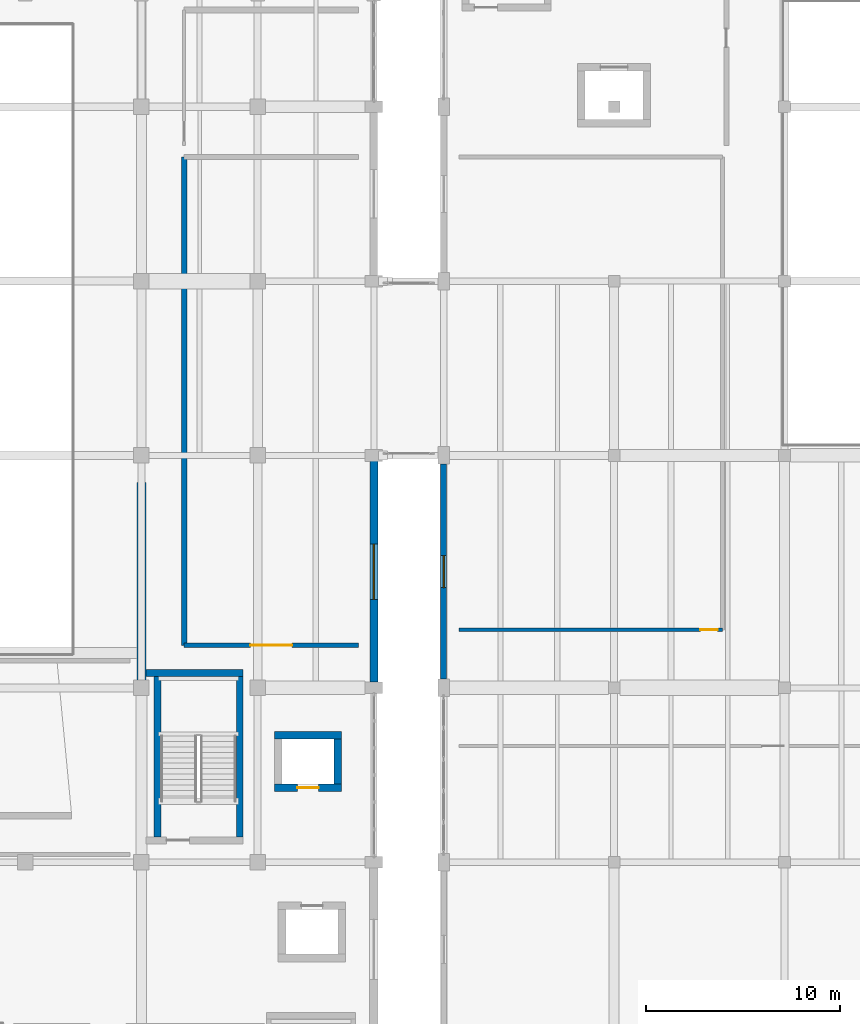
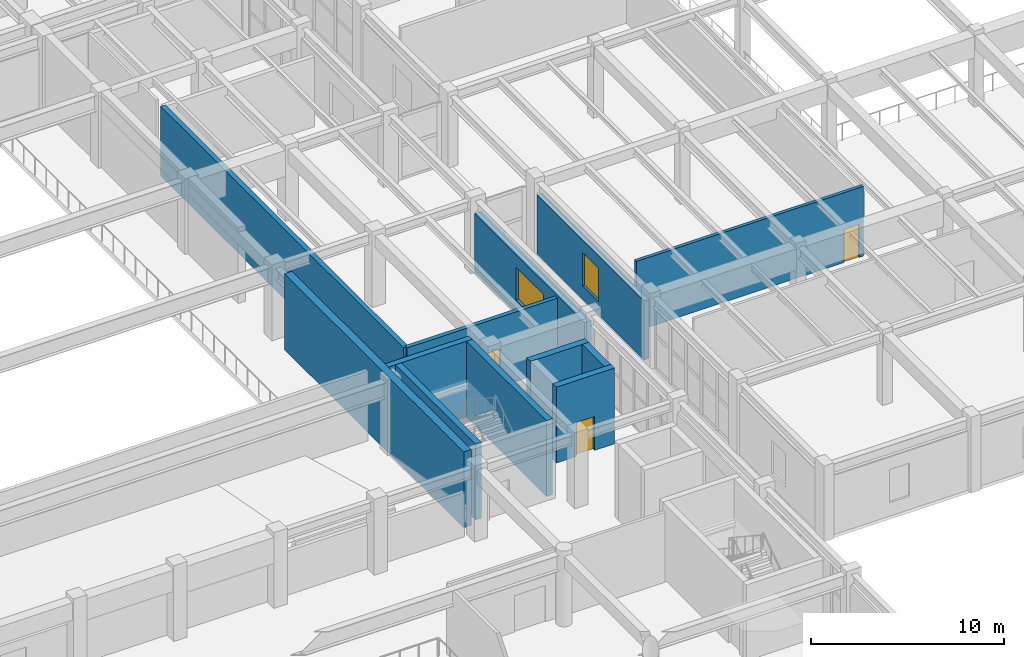
# One storey, part 70 of 96: 12 walls, 3 doors, 2 windows, 5 openings.
"""IFC4 building model written with IfcOpenShell, lengths in metres."""

from ifc_helpers import new_model, si_unit, direction, frame, frame_2d, origin, place, context, subcontext, project, spatial, rectangle, extrude, material, layer, layer_set, type_object, element, fill, save


model = new_model("IFC4")

# Units and contexts
model_context = context("Model", 3, precision=1e-05, world=origin(), true_north=direction((0.0, 1.0)))
body_context = subcontext(model_context, "Body", "Model", "MODEL_VIEW")
ifc_project = project(units=[si_unit("LENGTHUNIT", "METRE"), si_unit("AREAUNIT", "SQUARE_METRE"), si_unit("VOLUMEUNIT", "CUBIC_METRE"), si_unit("PLANEANGLEUNIT", "RADIAN"), si_unit("MASSUNIT", "GRAM", prefix="KILO")], contexts=[model_context])

# Site, building, storey
site_placement = place(None, origin())
site = spatial("IfcSite", under=ifc_project, at=site_placement, CompositionType="ELEMENT")
building_placement = place(site_placement, origin())
building = spatial("IfcBuilding", under=site, at=building_placement, Name="Vaelkrest Opera House", CompositionType="ELEMENT")
storey_placement = place(building_placement, frame((0.0, 0.0, 5.39990234375)))
storey = spatial("IfcBuildingStorey", under=building, at=storey_placement, Name="L01", CompositionType="ELEMENT", Elevation=5.39990234375)

# Wall, opening, window
ifc_material_1 = material(Name="American black walnut acoustic timber", Category="wood")
ifc_layer_1 = layer(ifc_material_1, 0.31494140625)
ifc_layer_set_1 = layer_set([ifc_layer_1], Name="American black walnut acoustic timber")
wall_type_1 = type_object("IfcWallType", Name="EW04", PredefinedType="STANDARD", material=ifc_layer_set_1)
wall_1_placement = place(storey_placement, frame((33.60009765625, -19.35205078125, 0.0), z_axis=(0.0, 0.0, 1.0), x_axis=(0.0, 1.0, 0.0)))
wall_1 = element("IfcWall", 1, at=wall_1_placement, inside=storey, type_object=wall_type_1, Name="Exterior facade wall EW-V4-L01-0234", PredefinedType="STANDARD", context=body_context, shape_type="SweptSolid", body=[
    extrude(rectangle(XDim=11.10400390625, YDim=0.31494140625, at=frame_2d((5.552001953125, 0.0))), origin(), (0.0, 0.0, 1.0), 3.739990234375),
])
opening_1_placement = place(wall_1_placement, frame((4.72705078125, 0.0, 0.85009765625)))
opening_1 = element("IfcOpeningElement", 2, at=opening_1_placement, cuts=wall_1, Name="Opening WN119", PredefinedType="OPENING", context=body_context, shape_type="SweptSolid", body=[
    extrude(rectangle(XDim=1.64990234375, YDim=2.10009765625, at=frame_2d((0.824951171875, 1.050048828125))), frame((0.0, 0.16748046875, 0.0), z_axis=(0.0, -1.0, 0.0), x_axis=(1.0, 0.0, 0.0)), (0.0, 0.0, 1.0), 0.3349609375),
])
ifc_material_2 = material(Name="Double low-E insulated glazing", Category="glass")
window_type_1 = type_object("IfcWindowType", Name="WT15", PartitioningType="SINGLE_PANEL", PredefinedType="WINDOW", material=ifc_material_2)
window_1_placement = place(opening_1_placement, origin())
window_1 = element("IfcWindow", 3, at=window_1_placement, inside=storey, type_object=window_type_1, Name="Facade window WN119", OverallHeight=2.10009765625, OverallWidth=1.64990234375, PartitioningType="SINGLE_PANEL", PredefinedType="WINDOW", context=body_context, shape_type="SweptSolid", body=[
    extrude(rectangle(XDim=1.64990234375, YDim=2.10009765625, at=frame_2d((0.824951171875, 1.050048828125))), frame((0.0, 0.030029296875, 0.0), z_axis=(0.0, -1.0, 0.0), x_axis=(1.0, 0.0, 0.0)), (0.0, 0.0, 1.0), 0.06005859375),
])
fill(opening_1, window_1)

ifc_material_3 = material(Name="Concrete C40/50", Category="concrete")
ifc_layer_2 = layer(ifc_material_3, 0.409912109375)
ifc_layer_set_2 = layer_set([ifc_layer_2], Name="Concrete C40/50")
wall_type_2 = type_object("IfcWallType", Name="EW08", PredefinedType="STANDARD", material=ifc_layer_set_2)
wall_2_placement = place(storey_placement, frame((30.0, -8.097900390625, 0.0), z_axis=(0.0, 0.0, 1.0), x_axis=(0.0, -1.0, 0.0)))
wall_2 = element("IfcWall", 4, at=wall_2_placement, inside=storey, type_object=wall_type_2, Name="Exterior facade wall EW-V1-L01-0048", PredefinedType="STANDARD", context=body_context, shape_type="SweptSolid", body=[
    extrude(rectangle(XDim=11.404052734375, YDim=0.409912109375, at=frame_2d((5.7021484375, 0.0))), origin(), (0.0, 0.0, 1.0), 3.739990234375),
])
opening_2_placement = place(wall_2_placement, frame((4.277099609375, 0.0, 0.85009765625)))
opening_2 = element("IfcOpeningElement", 5, at=opening_2_placement, cuts=wall_2, Name="Opening WN019", PredefinedType="OPENING", context=body_context, shape_type="SweptSolid", body=[
    extrude(rectangle(XDim=2.85009765625, YDim=2.10009765625, at=frame_2d((1.425048828125, 1.050048828125))), frame((0.0, 0.21484375, 0.0), z_axis=(0.0, -1.0, 0.0), x_axis=(1.0, 0.0, 0.0)), (0.0, 0.0, 1.0), 0.429931640625),
])
window_type_2 = type_object("IfcWindowType", Name="WT19", PartitioningType="SINGLE_PANEL", PredefinedType="WINDOW", material=ifc_material_2)
window_2_placement = place(opening_2_placement, origin())
window_2 = element("IfcWindow", 6, at=window_2_placement, inside=storey, type_object=window_type_2, Name="Facade window WN019", OverallHeight=2.10009765625, OverallWidth=2.85009765625, PartitioningType="SINGLE_PANEL", PredefinedType="WINDOW", context=body_context, shape_type="SweptSolid", body=[
    extrude(rectangle(XDim=2.85009765625, YDim=2.10009765625, at=frame_2d((1.425048828125, 1.050048828125))), frame((0.0, 0.030029296875, 0.0), z_axis=(0.0, -1.0, 0.0), x_axis=(1.0, 0.0, 0.0)), (0.0, 0.0, 1.0), 0.06005859375),
])
fill(opening_2, window_2)

# Wall, opening, door
ifc_material_4 = material(Name="Gypsum acoustic board", Category="gypsum")
ifc_layer_3 = layer(ifc_material_4, 0.195068359375)
ifc_layer_set_3 = layer_set([ifc_layer_3], Name="Gypsum acoustic board")
wall_type_3 = type_object("IfcWallType", Name="PT06", PredefinedType="PARTITIONING", material=ifc_layer_set_3)
wall_3_placement = place(storey_placement, frame((34.39990234375, -16.800048828125, 0.0), z_axis=(0.0, 0.0, 1.0), x_axis=(1.0, 0.0, 0.0)))
wall_3 = element("IfcWall", 7, at=wall_3_placement, inside=storey, type_object=wall_type_3, Name="Interior partition PT-V4-L01-0370", PredefinedType="PARTITIONING", context=body_context, shape_type="SweptSolid", body=[
    extrude(rectangle(XDim=13.60009765625, YDim=0.195068359375, at=frame_2d((6.800048828125, 0.0))), origin(), (0.0, 0.0, 1.0), 4.420166015625),
])
opening_3_placement = place(wall_3_placement, frame((12.449951171875, 0.0, 0.0)))
opening_3 = element("IfcOpeningElement", 8, at=opening_3_placement, cuts=wall_3, Name="Opening D151", PredefinedType="OPENING", context=body_context, shape_type="SweptSolid", body=[
    extrude(rectangle(XDim=0.89990234375, YDim=2.10009765625, at=frame_2d((0.449951171875, 1.050048828125))), frame((0.0, 0.107421875, 0.0), z_axis=(0.0, -1.0, 0.0), x_axis=(1.0, 0.0, 0.0)), (0.0, 0.0, 1.0), 0.215087890625),
])
door_type_1 = type_object("IfcDoorType", Name="DT01", OperationType="NOTDEFINED", PredefinedType="DOOR", material=ifc_material_1)
door_1_placement = place(opening_3_placement, origin())
door_1 = element("IfcDoor", 9, at=door_1_placement, inside=storey, type_object=door_type_1, Name="Interior door D151 (Green Room)", OperationType="SINGLE_SWING_LEFT", OverallHeight=2.10009765625, OverallWidth=0.89990234375, PredefinedType="DOOR", context=body_context, shape_type="SweptSolid", body=[
    extrude(rectangle(XDim=0.89990234375, YDim=2.10009765625, at=frame_2d((0.449951171875, 1.050048828125))), frame((0.0, 0.02490234375, 0.0), z_axis=(0.0, -1.0, 0.0), x_axis=(1.0, 0.0, 0.0)), (0.0, 0.0, 1.0), 0.050048828125),
])
fill(opening_3, door_1)

ifc_layer_4 = layer(ifc_material_3, 0.239990234375)
ifc_layer_set_4 = layer_set([ifc_layer_4], Name="Concrete C40/50")
wall_type_4 = type_object("IfcWallType", Name="PT09", PredefinedType="PARTITIONING", material=ifc_layer_set_4)
wall_4_placement = place(storey_placement, frame((20.199951171875, -17.60009765625, 0.0), z_axis=(0.0, 0.0, 1.0), x_axis=(1.0, 0.0, 0.0)))
wall_4 = element("IfcWall", 10, at=wall_4_placement, inside=storey, type_object=wall_type_4, Name="Interior partition PT-V1-L01-0065", PredefinedType="PARTITIONING", context=body_context, shape_type="SweptSolid", body=[
    extrude(rectangle(XDim=9.0, YDim=0.239990234375, at=frame_2d((4.5, 0.0))), origin(), (0.0, 0.0, 1.0), 4.420166015625),
])
opening_4_placement = place(wall_4_placement, frame((3.425048828125, 0.0, 0.0)))
opening_4 = element("IfcOpeningElement", 11, at=opening_4_placement, cuts=wall_4, Name="Opening D025", PredefinedType="OPENING", context=body_context, shape_type="SweptSolid", body=[
    extrude(rectangle(XDim=2.14990234375, YDim=2.39990234375, at=frame_2d((1.074951171875, 1.199951171875))), frame((0.0, 0.1298828125, 0.0), z_axis=(0.0, -1.0, 0.0), x_axis=(1.0, 0.0, 0.0)), (0.0, 0.0, 1.0), 0.260009765625),
])
door_type_2 = type_object("IfcDoorType", Name="DT17", OperationType="DOUBLE_DOOR_SINGLE_SWING", PredefinedType="DOOR", material=ifc_material_1)
door_2_placement = place(opening_4_placement, origin())
door_2 = element("IfcDoor", 12, at=door_2_placement, inside=storey, type_object=door_type_2, Name="Interior door D025 (Patron Salon)", OperationType="DOUBLE_DOOR_SINGLE_SWING", OverallHeight=2.39990234375, OverallWidth=2.14990234375, PredefinedType="DOOR", context=body_context, shape_type="SweptSolid", body=[
    extrude(rectangle(XDim=2.14990234375, YDim=2.39990234375, at=frame_2d((1.074951171875, 1.199951171875))), frame((0.0, 0.02490234375, 0.0), z_axis=(0.0, -1.0, 0.0), x_axis=(1.0, 0.0, 0.0)), (0.0, 0.0, 1.0), 0.050048828125),
])
fill(opening_4, door_2)

# Walls
ifc_layer_5 = layer(ifc_material_3, 0.280029296875)
ifc_layer_set_5 = layer_set([ifc_layer_5], Name="Concrete C40/50")
wall_type_5 = type_object("IfcWallType", Name="PT11", PredefinedType="PARTITIONING", material=ifc_layer_set_5)
wall_5_placement = place(storey_placement, frame((20.199951171875, -17.60009765625, 0.0), z_axis=(0.0, 0.0, 1.0), x_axis=(0.0, 1.0, 0.0)))
element("IfcWall", 13, at=wall_5_placement, inside=storey, type_object=wall_type_5, Name="Interior partition PT-V1-L01-0067", PredefinedType="PARTITIONING", context=body_context, shape_type="SweptSolid", body=[
    extrude(rectangle(XDim=25.2001953125, YDim=0.280029296875, at=frame_2d((12.60009765625, 0.0))), origin(), (0.0, 0.0, 1.0), 4.420166015625),
])
ifc_material_5 = material(Name="Concrete C50/60", Category="concrete")
ifc_layer_6 = layer(ifc_material_5, 0.35009765625)
ifc_layer_set_6 = layer_set([ifc_layer_6], Name="Concrete C50/60")
wall_type_6 = type_object("IfcWallType", Name="SW01", PredefinedType="SHEAR", material=ifc_layer_set_6)
wall_6_placement = place(storey_placement, frame((18.824951171875, -27.5, 0.0), z_axis=(0.0, 0.0, 1.0), x_axis=(0.0, 1.0, 0.0)))
element("IfcWall", 14, at=wall_6_placement, inside=storey, type_object=wall_type_6, Name="Stair core ST02 wall L01 W", PredefinedType="SHEAR", context=body_context, shape_type="SweptSolid", body=[
    extrude(rectangle(XDim=8.300048828125, YDim=0.35009765625, at=frame_2d((4.14990234375, 0.0))), origin(), (0.0, 0.0, 1.0), 4.800048828125),
])
wall_7_placement = place(storey_placement, frame((18.22509765625, -19.02490234375, 0.0), z_axis=(0.0, 0.0, 1.0), x_axis=(1.0, 0.0, 0.0)))
element("IfcWall", 15, at=wall_7_placement, inside=storey, type_object=wall_type_6, Name="Stair core ST02 wall L01 N", PredefinedType="SHEAR", context=body_context, shape_type="SweptSolid", body=[
    extrude(rectangle(XDim=5.02490234375, YDim=0.35009765625, at=frame_2d((2.512451171875, 0.0))), origin(), (0.0, 0.0, 1.0), 4.800048828125),
])
wall_8_placement = place(storey_placement, frame((23.074951171875, -19.199951171875, 0.0), z_axis=(0.0, 0.0, 1.0), x_axis=(0.0, -1.0, 0.0)))
element("IfcWall", 16, at=wall_8_placement, inside=storey, type_object=wall_type_6, Name="Stair core ST02 wall L01 E", PredefinedType="SHEAR", context=body_context, shape_type="SweptSolid", body=[
    extrude(rectangle(XDim=8.300048828125, YDim=0.35009765625, at=frame_2d((4.14990234375, 0.0))), origin(), (0.0, 0.0, 1.0), 4.800048828125),
])

# Wall, opening, door
ifc_layer_7 = layer(ifc_material_5, 0.389892578125)
ifc_layer_set_7 = layer_set([ifc_layer_7], Name="Concrete C50/60")
wall_type_7 = type_object("IfcWallType", Name="SW02", PredefinedType="SHEAR", material=ifc_layer_set_7)
wall_9_placement = place(storey_placement, frame((28.340087890625, -24.945068359375, 0.0), z_axis=(0.0, 0.0, 1.0), x_axis=(-1.0, 0.0, 0.0)))
wall_9 = element("IfcWall", 17, at=wall_9_placement, inside=storey, type_object=wall_type_7, Name="Lift shaft LP02 wall L01 S", PredefinedType="SHEAR", context=body_context, shape_type="SweptSolid", body=[
    extrude(rectangle(XDim=3.47998046875, YDim=0.389892578125, at=frame_2d((1.739990234375, 0.0))), origin(), (0.0, 0.0, 1.0), 4.800048828125),
])
opening_5_placement = place(wall_9_placement, frame((1.18994140625, 0.0, 0.0)))
opening_5 = element("IfcOpeningElement", 18, at=opening_5_placement, cuts=wall_9, Name="Opening LD-LP02-L01", PredefinedType="OPENING", context=body_context, shape_type="SweptSolid", body=[
    extrude(rectangle(XDim=1.10009765625, YDim=2.14990234375, at=frame_2d((0.550048828125, 1.074951171875))), frame((0.0, 0.204833984375, 0.0), z_axis=(0.0, -1.0, 0.0), x_axis=(1.0, 0.0, 0.0)), (0.0, 0.0, 1.0), 0.409912109375),
])
ifc_material_6 = material(Name="Dark bronze anodized aluminium", Category="aluminium")
door_type_3 = type_object("IfcDoorType", Name="LDT01", OperationType="SLIDING_TO_LEFT", PredefinedType="DOOR", material=ifc_material_6)
door_3_placement = place(opening_5_placement, origin())
door_3 = element("IfcDoor", 19, at=door_3_placement, inside=storey, type_object=door_type_3, Name="Lift landing sliding door LD-LP02-L01", OperationType="SLIDING_TO_LEFT", OverallHeight=2.14990234375, OverallWidth=1.10009765625, PredefinedType="DOOR", context=body_context, shape_type="SweptSolid", body=[
    extrude(rectangle(XDim=1.10009765625, YDim=2.14990234375, at=frame_2d((0.550048828125, 1.074951171875))), frame((0.0, 0.02490234375, 0.0), z_axis=(0.0, -1.0, 0.0), x_axis=(1.0, 0.0, 0.0)), (0.0, 0.0, 1.0), 0.050048828125),
])
fill(opening_5, door_3)

# Walls
wall_10_placement = place(storey_placement, frame((24.860107421875, -22.2548828125, 0.0), z_axis=(0.0, 0.0, 1.0), x_axis=(1.0, 0.0, 0.0)))
element("IfcWall", 20, at=wall_10_placement, inside=storey, type_object=wall_type_7, Name="Lift shaft LP02 wall L01 N", PredefinedType="SHEAR", context=body_context, shape_type="SweptSolid", body=[
    extrude(rectangle(XDim=3.47998046875, YDim=0.389892578125, at=frame_2d((1.739990234375, 0.0))), origin(), (0.0, 0.0, 1.0), 4.800048828125),
])
wall_11_placement = place(storey_placement, frame((28.14501953125, -22.449951171875, 0.0), z_axis=(0.0, 0.0, 1.0), x_axis=(0.0, -1.0, 0.0)))
element("IfcWall", 21, at=wall_11_placement, inside=storey, type_object=wall_type_7, Name="Lift shaft LP02 wall L01 E", PredefinedType="SHEAR", context=body_context, shape_type="SweptSolid", body=[
    extrude(rectangle(XDim=2.300048828125, YDim=0.389892578125, at=frame_2d((1.14990234375, 0.0))), origin(), (0.0, 0.0, 1.0), 4.800048828125),
])
ifc_layer_8 = layer(ifc_material_5, 0.449951171875)
ifc_layer_set_8 = layer_set([ifc_layer_8], Name="Concrete C50/60")
wall_type_8 = type_object("IfcWallType", Name="SW03", PredefinedType="SHEAR", material=ifc_layer_set_8)
wall_12_placement = place(storey_placement, frame((18.0, -27.800048828125, 0.0), z_axis=(0.0, 0.0, 1.0), x_axis=(0.0, 1.0, 0.0)))
element("IfcWall", 22, at=wall_12_placement, inside=storey, type_object=wall_type_8, Name="Auditorium shell wall E1 L01", PredefinedType="SHEAR", context=body_context, shape_type="SweptSolid", body=[
    extrude(rectangle(XDim=18.60009765625, YDim=0.449951171875, at=frame_2d((9.300048828125, 0.0))), origin(), (0.0, 0.0, 1.0), 4.800048828125),
])

save(model, "model.ifc")
